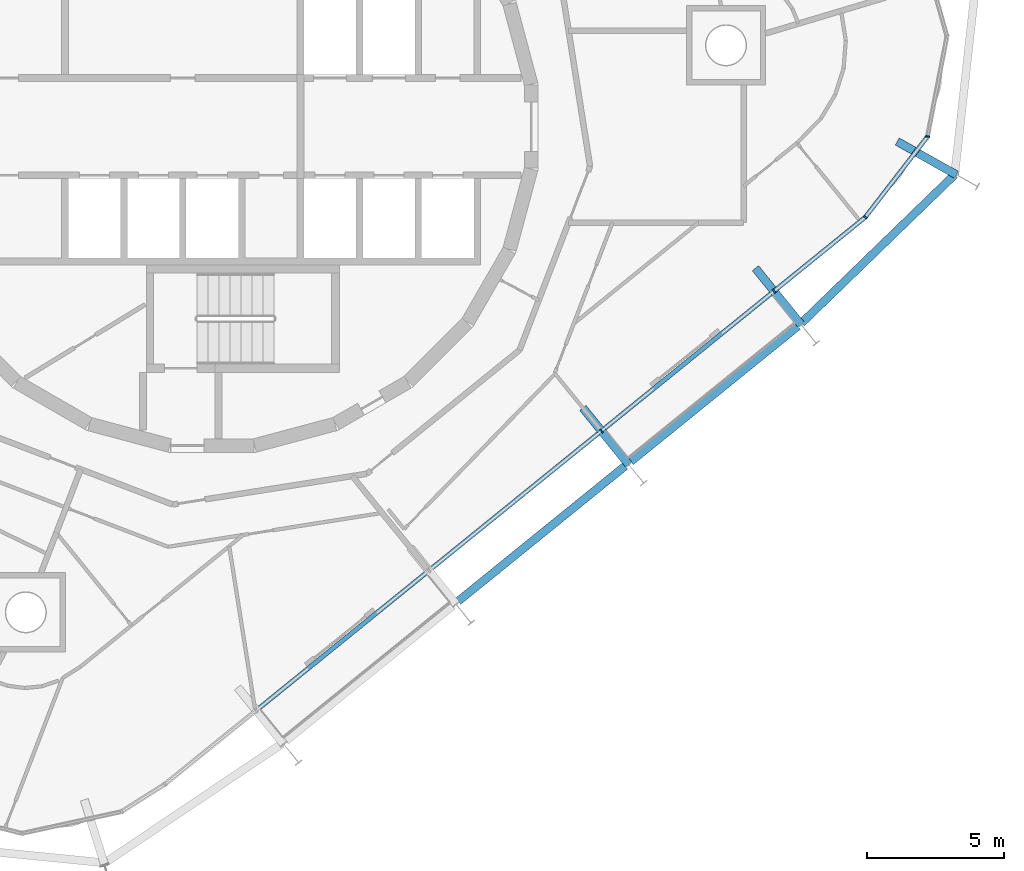
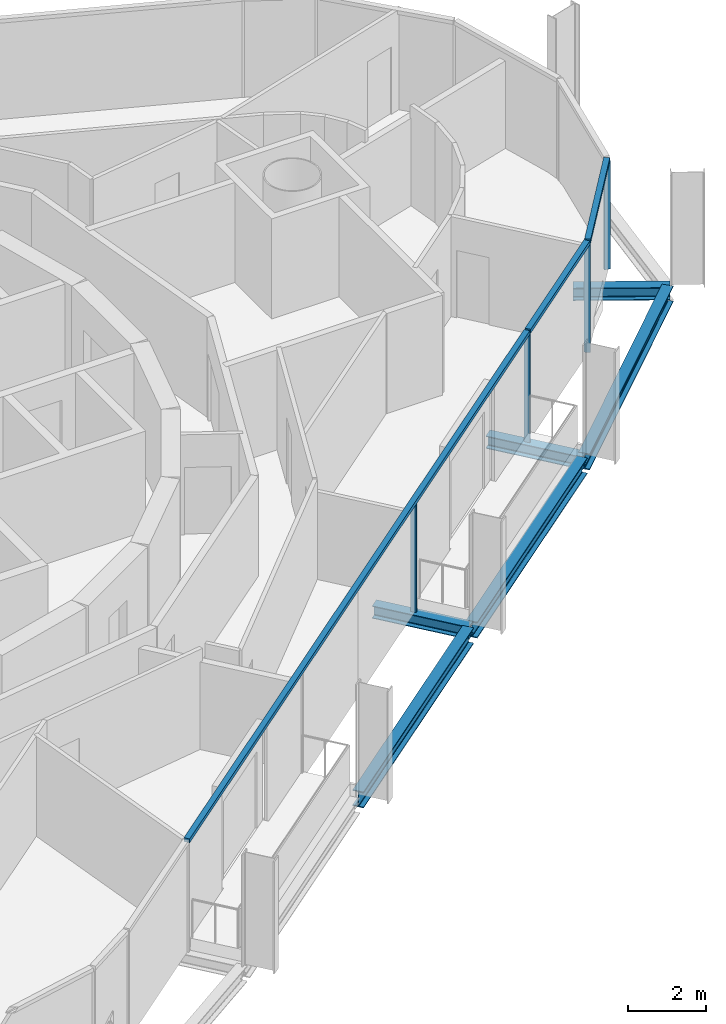
# One storey, part 4 of 17: 7 members, 6 beams, 2 elements without a shape of their own.
"""IFC4 building model written with IfcOpenShell, lengths in metres."""

from ifc_helpers import new_model, si_unit, direction, frame, origin, origin_2d, place, context, subcontext, project, spatial, rectangle, i_section, extrude, material, layer, layer_set, material_profile, profile_set, type_object, element, aggregate, save


model = new_model("IFC4")

# Units and contexts
model_context = context("Model", 3, precision=1e-05, world=origin(), true_north=direction((0.0, 1.0)))
body_context = subcontext(model_context, "Body", "Model", "MODEL_VIEW")
ifc_project = project(units=[si_unit("LENGTHUNIT", "METRE"), si_unit("AREAUNIT", "SQUARE_METRE"), si_unit("VOLUMEUNIT", "CUBIC_METRE"), si_unit("PLANEANGLEUNIT", "RADIAN"), si_unit("MASSUNIT", "GRAM", prefix="KILO")], contexts=[model_context])

# Site, building, storey
site_placement = place(None, origin())
site = spatial("IfcSite", under=ifc_project, at=site_placement, CompositionType="ELEMENT")
building_placement = place(site_placement, origin())
building = spatial("IfcBuilding", under=site, at=building_placement, Name="Spindle Arch Residences", CompositionType="ELEMENT")
storey_placement = place(building_placement, frame((0.0, 0.0, 284.39990234375)))
storey = spatial("IfcBuildingStorey", under=building, at=storey_placement, Name="L73", CompositionType="ELEMENT", Elevation=284.39990234375)

# Curtain wall, members
ifc_material_1 = material(Name="Aluminium bronze unitised frame with tinted glass", Category="aluminium")
ifc_layer_1 = layer(ifc_material_1, 0.159912109375)
ifc_layer_set_1 = layer_set([ifc_layer_1], Name="CW-D corner wall on the fillet arcs")
curtain_wall_type_1 = type_object("IfcCurtainWallType", Name="CW-D corner wall on the fillet arcs", PredefinedType="NOTDEFINED", material=ifc_layer_set_1)
curtain_wall_1_placement = place(storey_placement, origin())
curtain_wall_1 = element("IfcCurtainWall", 1, at=curtain_wall_1_placement, inside=storey, type_object=curtain_wall_type_1, Name="CW-D L73 run 1", PredefinedType="NOTDEFINED")
ifc_material_2 = material(Name="Aluminium bronze anodised mullion", Category="aluminium")
ifc_material_profile_1 = material_profile(ifc_material_2, rectangle(XDim=0.159912109375, YDim=0.06005859375, at=origin_2d()), Name="MU 60x160")
ifc_profile_set_1 = profile_set([ifc_material_profile_1], Name="Aluminium bronze anodised mullion")
member_type_1 = type_object("IfcMemberType", Name="Bronze mullion 60x160", PredefinedType="MULLION", material=ifc_profile_set_1)
member_1_placement = place(storey_placement, frame((20.512451171875, -6.006103515625, -0.3798828125), z_axis=(0.0, 0.0, 1.0), x_axis=(-0.62932039105, 0.777145961457, 0.0)))
member_1 = element("IfcMember", 2, at=member_1_placement, type_object=member_type_1, Name="CW-D mullion 00", PredefinedType="MULLION", context=body_context, shape_type="SweptSolid", body=[
    extrude(rectangle(XDim=0.159912109375, YDim=0.06005859375, at=origin_2d()), origin(), (0.0, 0.0, 1.0), 3.3798828125),
])
member_2_placement = place(storey_placement, frame((23.84423828125, -3.30810546875, -0.3798828125), z_axis=(0.0, 0.0, 1.0), x_axis=(-0.791579170105, 0.611066622764, 0.0)))
member_2 = element("IfcMember", 3, at=member_2_placement, type_object=member_type_1, Name="CW-D mullion 01", PredefinedType="MULLION", context=body_context, shape_type="SweptSolid", body=[
    extrude(rectangle(XDim=0.159912109375, YDim=0.06005859375, at=origin_2d()), origin(), (0.0, 0.0, 1.0), 3.3798828125),
])
member_3_placement = place(storey_placement, frame((26.12158203125, -0.358154296875, -0.3798828125), z_axis=(0.0, 0.0, 1.0), x_axis=(-0.981627183558, 0.190808994811, 0.0)))
member_3 = element("IfcMember", 4, at=member_3_placement, type_object=member_type_1, Name="CW-D mullion 02", PredefinedType="MULLION", context=body_context, shape_type="SweptSolid", body=[
    extrude(rectangle(XDim=0.159912109375, YDim=0.06005859375, at=origin_2d()), origin(), (0.0, 0.0, 1.0), 3.3798828125),
])

# Curtain wall, member
ifc_material_3 = material(Name="Aluminium bronze unitised frame with tinted glass", Category="aluminium")
ifc_layer_2 = layer(ifc_material_3, 0.159912109375)
ifc_layer_set_2 = layer_set([ifc_layer_2], Name="CW-C typical residential unitised wall")
curtain_wall_type_2 = type_object("IfcCurtainWallType", Name="CW-C typical residential unitised wall", PredefinedType="NOTDEFINED", material=ifc_layer_set_2)
curtain_wall_2_placement = place(storey_placement, origin())
curtain_wall_2 = element("IfcCurtainWall", 5, at=curtain_wall_2_placement, inside=storey, type_object=curtain_wall_type_2, Name="CW-C L73 run 6", PredefinedType="NOTDEFINED")
member_4_placement = place(storey_placement, frame((14.211669921875, -11.1083984375, -0.3798828125), z_axis=(0.0, 0.0, 1.0), x_axis=(-0.62932039105, 0.777145961457, 0.0)))
member_4 = element("IfcMember", 6, at=member_4_placement, type_object=member_type_1, Name="CW-C mullion 00", PredefinedType="MULLION", context=body_context, shape_type="SweptSolid", body=[
    extrude(rectangle(XDim=0.159912109375, YDim=0.06005859375, at=origin_2d()), origin(), (0.0, 0.0, 1.0), 3.3798828125),
])

# Member
ifc_material_4 = material(Name="Aluminium bronze anodised transom", Category="aluminium")
ifc_material_profile_2 = material_profile(ifc_material_4, rectangle(XDim=0.159912109375, YDim=0.1201171875, at=origin_2d()), Name="TR 120x160")
ifc_profile_set_2 = profile_set([ifc_material_profile_2], Name="Aluminium bronze anodised transom")
member_type_2 = type_object("IfcMemberType", Name="Bronze transom 120x160", PredefinedType="USERDEFINED", material=ifc_profile_set_2)
member_5_placement = place(storey_placement, frame((20.535888671875, -5.9873046875, 3.06005859375), z_axis=(0.777158783918, 0.6293045563, 0.0), x_axis=(-0.6293045563, 0.777158783918, 0.0)))
member_5 = element("IfcMember", 7, at=member_5_placement, type_object=member_type_2, Name="CW-D transom 00", ObjectType="TRANSOM", PredefinedType="USERDEFINED", context=body_context, shape_type="SweptSolid", body=[
    extrude(rectangle(XDim=0.159912109375, YDim=0.1201171875, at=origin_2d()), origin(), (0.0, 0.0, 1.0), 4.22705078125),
])

member_6_placement = place(storey_placement, frame((23.862548828125, -3.284423828125, 3.06005859375), z_axis=(0.611074135379, 0.791573370617, 0.0), x_axis=(-0.791573370617, 0.611074135379, 0.0)))
member_6 = element("IfcMember", 8, at=member_6_placement, type_object=member_type_2, Name="CW-D transom 01", ObjectType="TRANSOM", PredefinedType="USERDEFINED", context=body_context, shape_type="SweptSolid", body=[
    extrude(rectangle(XDim=0.159912109375, YDim=0.1201171875, at=origin_2d()), origin(), (0.0, 0.0, 1.0), 3.666748046875),
])

aggregate(curtain_wall_1, [member_1, member_5, member_2, member_6, member_3])

member_7_placement = place(storey_placement, frame((1.633544921875, -21.294189453125, 3.06005859375), z_axis=(0.777146208679, 0.629320085756, 0.0), x_axis=(-0.629320085756, 0.777146208679, 0.0)))
member_7 = element("IfcMember", 9, at=member_7_placement, type_object=member_type_2, Name="CW-C transom 00", ObjectType="TRANSOM", PredefinedType="USERDEFINED", context=body_context, shape_type="SweptSolid", body=[
    extrude(rectangle(XDim=0.159912109375, YDim=0.1201171875, at=origin_2d()), origin(), (0.0, 0.0, 1.0), 24.2626953125),
])

aggregate(curtain_wall_2, [member_7, member_4])

# Beams
ifc_material_5 = material(Name="Steel S460ML, intumescent coating R 120", Category="steel")
ifc_material_profile_3 = material_profile(ifc_material_5, i_section(OverallWidth=0.300048828125, OverallDepth=0.5, WebThickness=0.014404296875, FlangeThickness=0.028076171875, FilletRadius=0.027099609375, at=origin_2d()), Name="HEB 500")
ifc_profile_set_3 = profile_set([ifc_material_profile_3], Name="Steel S460ML, intumescent coating R 120")
beam_type_1 = type_object("IfcBeamType", Name="Exoskeleton edge beam HEB 500", PredefinedType="BEAM", material=ifc_profile_set_3)
beam_1_placement = place(storey_placement, frame((15.281982421875, -12.223388671875, -0.6298828125), z_axis=(0.777152125993, 0.629312778406, 0.0), x_axis=(-0.629312778406, 0.777152125993, 0.0)))
element("IfcBeam", 10, at=beam_1_placement, inside=storey, type_object=beam_type_1, Name="Exoskeleton edge beam 1", PredefinedType="BEAM", context=body_context, shape_type="SweptSolid", body=[
    extrude(i_section(OverallWidth=0.300048828125, OverallDepth=0.5, WebThickness=0.014404296875, FlangeThickness=0.028076171875, FilletRadius=0.027099609375, at=origin_2d()), origin(), (0.0, 0.0, 1.0), 7.847412109375),
])
beam_2_placement = place(storey_placement, frame((21.51025390625, -7.176025390625, -0.6298828125), z_axis=(0.718254418366, 0.695780562029, 0.0), x_axis=(-0.695780562029, 0.718254418366, 0.0)))
element("IfcBeam", 11, at=beam_2_placement, inside=storey, type_object=beam_type_1, Name="Exoskeleton edge beam 2", PredefinedType="BEAM", context=body_context, shape_type="SweptSolid", body=[
    extrude(i_section(OverallWidth=0.300048828125, OverallDepth=0.5, WebThickness=0.014404296875, FlangeThickness=0.028076171875, FilletRadius=0.027099609375, at=origin_2d()), origin(), (0.0, 0.0, 1.0), 7.7890625),
])
beam_3_placement = place(storey_placement, frame((8.981201171875, -17.32568359375, -0.6298828125), z_axis=(0.777152125993, 0.629312778406, 0.0), x_axis=(-0.629312778406, 0.777152125993, 0.0)))
element("IfcBeam", 12, at=beam_3_placement, inside=storey, type_object=beam_type_1, Name="Exoskeleton edge beam 20", PredefinedType="BEAM", context=body_context, shape_type="SweptSolid", body=[
    extrude(i_section(OverallWidth=0.300048828125, OverallDepth=0.5, WebThickness=0.014404296875, FlangeThickness=0.028076171875, FilletRadius=0.027099609375, at=origin_2d()), origin(), (0.0, 0.0, 1.0), 7.847412109375),
])
ifc_material_6 = material(Name="Steel S460ML, intumescent coating R 120", Category="steel")
ifc_material_profile_4 = material_profile(ifc_material_6, i_section(OverallWidth=0.300048828125, OverallDepth=0.389892578125, WebThickness=0.010986328125, FlangeThickness=0.01904296875, FilletRadius=0.027099609375, at=origin_2d()), Name="HEA 400")
ifc_profile_set_4 = profile_set([ifc_material_profile_4], Name="Steel S460ML, intumescent coating R 120")
beam_type_2 = type_object("IfcBeamType", Name="Floor outrigger HEA 400", PredefinedType="BEAM", material=ifc_profile_set_4)
for number, where, z_axis, x_axis, name in (
    (13, (15.19970703125, -12.32861328125, -0.574951171875), (-0.629301579077, 0.777161194715, 0.0), (-0.777161194715, -0.629301579077, 0.0), "Floor outrigger 1"),
    (14, (21.50048828125, -7.226318359375, -0.574951171875), (-0.629301579077, 0.777161194715, 0.0), (-0.777161194715, -0.629301579077, 0.0), "Floor outrigger 2"),
):
    element("IfcBeam", number, at=place(storey_placement, frame(where, z_axis=z_axis, x_axis=x_axis)), inside=storey, type_object=beam_type_2, Name=name, PredefinedType="BEAM", context=body_context, shape_type="SweptSolid", body=[
        extrude(i_section(OverallWidth=0.300048828125, OverallDepth=0.389892578125, WebThickness=0.010986328125, FlangeThickness=0.01904296875, FilletRadius=0.027099609375, at=origin_2d()), origin(), (0.0, 0.0, 1.0), 2.650146484375),
    ])
beam_4_placement = place(storey_placement, frame((27.172607421875, -1.75537109375, -0.574951171875), z_axis=(-0.871838442856, 0.489793558102, 0.0), x_axis=(-0.489793558102, -0.871838442856, 0.0)))
element("IfcBeam", 15, at=beam_4_placement, inside=storey, type_object=beam_type_2, Name="Floor outrigger 3", PredefinedType="BEAM", context=body_context, shape_type="SweptSolid", body=[
    extrude(i_section(OverallWidth=0.300048828125, OverallDepth=0.389892578125, WebThickness=0.010986328125, FlangeThickness=0.01904296875, FilletRadius=0.027099609375, at=origin_2d()), origin(), (0.0, 0.0, 1.0), 2.478759765625),
])

save(model, "model.ifc")
